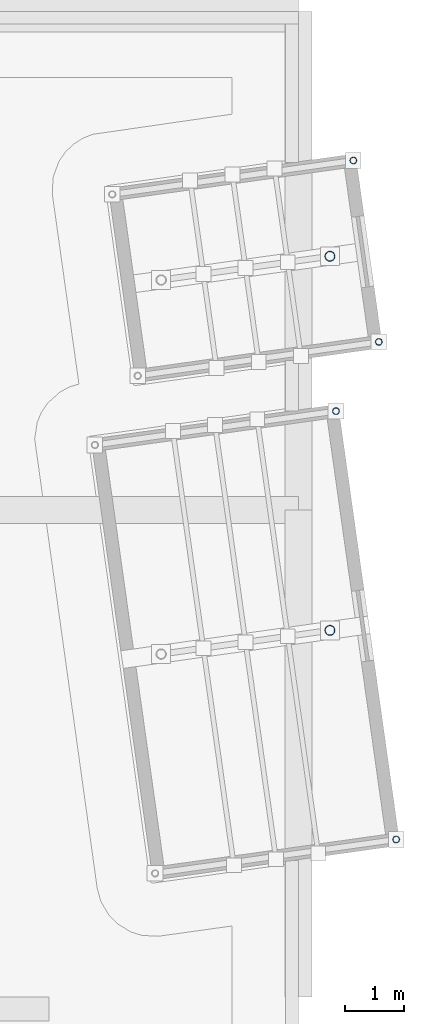
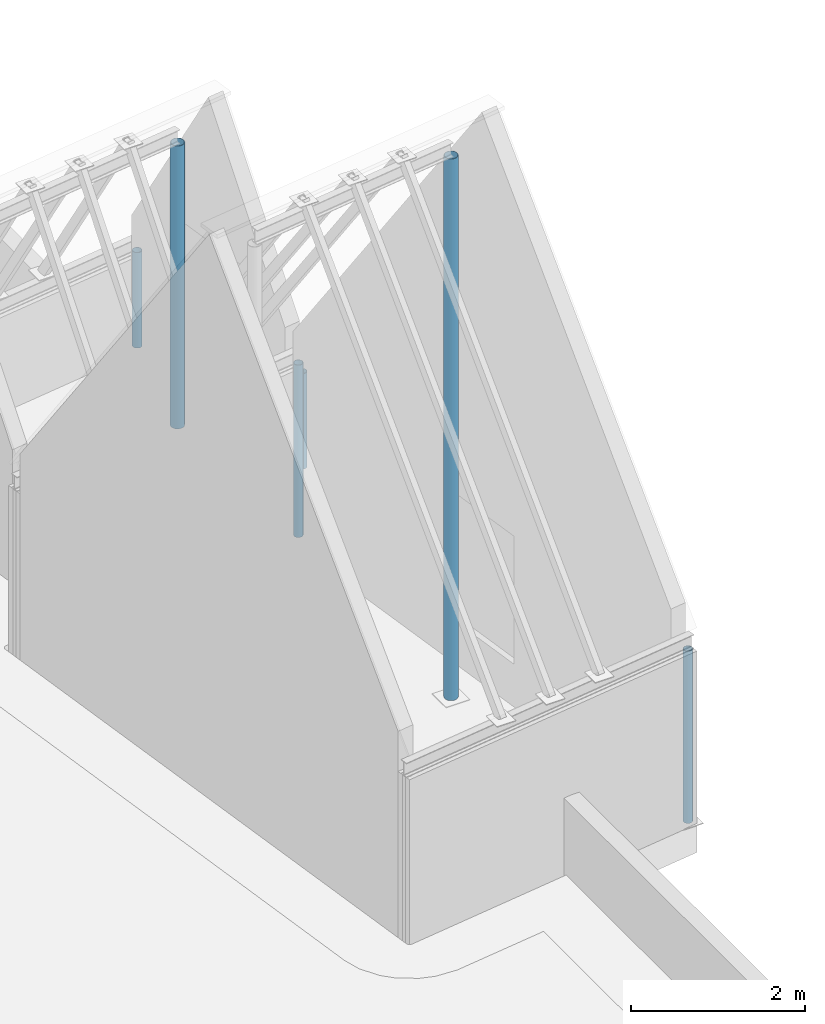
# One storey, part 6 of 11: 6 columns.
"""IFC4 building model written with IfcOpenShell, lengths in metres."""

from ifc_helpers import new_model, si_unit, direction, frame, origin, origin_2d, place, context, subcontext, project, spatial, hollow_circle, extrude, material, material_profile, profile_set, type_object, element, save


model = new_model("IFC4")

# Units and contexts
model_context = context("Model", 3, precision=1e-05, world=origin(), true_north=direction((0.0, 1.0)))
body_context = subcontext(model_context, "Body", "Model", "MODEL_VIEW")
ifc_project = project(units=[si_unit("LENGTHUNIT", "METRE"), si_unit("AREAUNIT", "SQUARE_METRE"), si_unit("VOLUMEUNIT", "CUBIC_METRE"), si_unit("PLANEANGLEUNIT", "RADIAN"), si_unit("MASSUNIT", "GRAM", prefix="KILO")], contexts=[model_context])

# Site, building, storey
site_placement = place(None, origin())
site = spatial("IfcSite", under=ifc_project, at=site_placement, CompositionType="ELEMENT")
building_placement = place(site_placement, origin())
building = spatial("IfcBuilding", under=site, at=building_placement, Name="Kiln Court Media Centre", CompositionType="ELEMENT")
storey_placement = place(building_placement, frame((0.0, 0.0, 42.60009765625)))
storey = spatial("IfcBuildingStorey", under=building, at=storey_placement, Name="ROOF", CompositionType="ELEMENT", Elevation=42.60009765625)

# Columns
ifc_material_1 = material(Name="Steel ASTM A500 Gr C", Category="steel")
ifc_material_profile_1 = material_profile(ifc_material_1, hollow_circle(Radius=0.05712890625, WallThickness=0.0048828125, at=origin_2d()), Name="CHS 114.3x5.0")
ifc_profile_set_1 = profile_set([ifc_material_profile_1], Name="Steel ASTM A500 Gr C")
column_type_1 = type_object("IfcColumnType", Name="Steel ASTM A500 Gr C CHS 114.3x5.0 crown eaves post", PredefinedType="COLUMN", material=ifc_profile_set_1)
for number, where, z_axis, x_axis, name in (
    (1, (35.24560546875, 11.2529296875, 0.0078125), (0.0, 0.0, 1.0), (1.0, 0.0, 0.0), "crown form 4 eaves post crown eaves post"),
    (2, (34.23193359375, 18.467041015625, 0.0078125), (0.0, 0.0, 1.0), (1.0, 0.0, 0.0), "crown form 4 eaves post crown eaves post"),
):
    element("IfcColumn", number, at=place(storey_placement, frame(where, z_axis=z_axis, x_axis=x_axis)), inside=storey, type_object=column_type_1, Name=name, PredefinedType="COLUMN", context=body_context, shape_type="SweptSolid", body=[
        extrude(hollow_circle(Radius=0.05712890625, WallThickness=0.0048828125, at=origin_2d()), origin(), (0.0, 0.0, 1.0), 2.422119140625),
    ])
for number, where, z_axis, x_axis, name in (
    (3, (34.95361328125, 19.632568359375, 0.0078125), (0.0, 0.0, 1.0), (1.0, 0.0, 0.0), "crown form 5 eaves post crown eaves post"),
    (4, (34.524169921875, 22.6875, 0.0078125), (0.0, 0.0, 1.0), (1.0, 0.0, 0.0), "crown form 5 eaves post crown eaves post"),
):
    element("IfcColumn", number, at=place(storey_placement, frame(where, z_axis=z_axis, x_axis=x_axis)), inside=storey, type_object=column_type_1, Name=name, PredefinedType="COLUMN", context=body_context, shape_type="SweptSolid", body=[
        extrude(hollow_circle(Radius=0.05712890625, WallThickness=0.0048828125, at=origin_2d()), origin(), (0.0, 0.0, 1.0), 1.342041015625),
    ])
ifc_material_2 = material(Name="Steel ASTM A500 Gr C", Category="steel")
ifc_material_profile_2 = material_profile(ifc_material_2, hollow_circle(Radius=0.084228515625, WallThickness=0.00634765625, at=origin_2d()), Name="CHS 168.3x6.3")
ifc_profile_set_2 = profile_set([ifc_material_profile_2], Name="Steel ASTM A500 Gr C")
column_type_2 = type_object("IfcColumnType", Name="Steel ASTM A500 Gr C CHS 168.3x6.3 crown ridge post", PredefinedType="COLUMN", material=ifc_profile_set_2)
column_1_placement = place(storey_placement, frame((34.1298828125, 14.7744140625, 0.0078125), z_axis=(0.0, 0.0, 1.0), x_axis=(1.0, 0.0, 0.0)))
element("IfcColumn", 5, at=column_1_placement, inside=storey, type_object=column_type_2, Name="crown form 4 ridge post crown ridge post", PredefinedType="COLUMN", context=body_context, shape_type="SweptSolid", body=[
    extrude(hollow_circle(Radius=0.084228515625, WallThickness=0.00634765625, at=origin_2d()), origin(), (0.0, 0.0, 1.0), 7.613525390625),
])
column_2_placement = place(storey_placement, frame((34.1298828125, 21.074462890625, 0.0078125), z_axis=(0.0, 0.0, 1.0), x_axis=(1.0, 0.0, 0.0)))
element("IfcColumn", 6, at=column_2_placement, inside=storey, type_object=column_type_2, Name="crown form 5 ridge post crown ridge post", PredefinedType="COLUMN", context=body_context, shape_type="SweptSolid", body=[
    extrude(hollow_circle(Radius=0.084228515625, WallThickness=0.00634765625, at=origin_2d()), origin(), (0.0, 0.0, 1.0), 3.9755859375),
])

save(model, "model.ifc")
